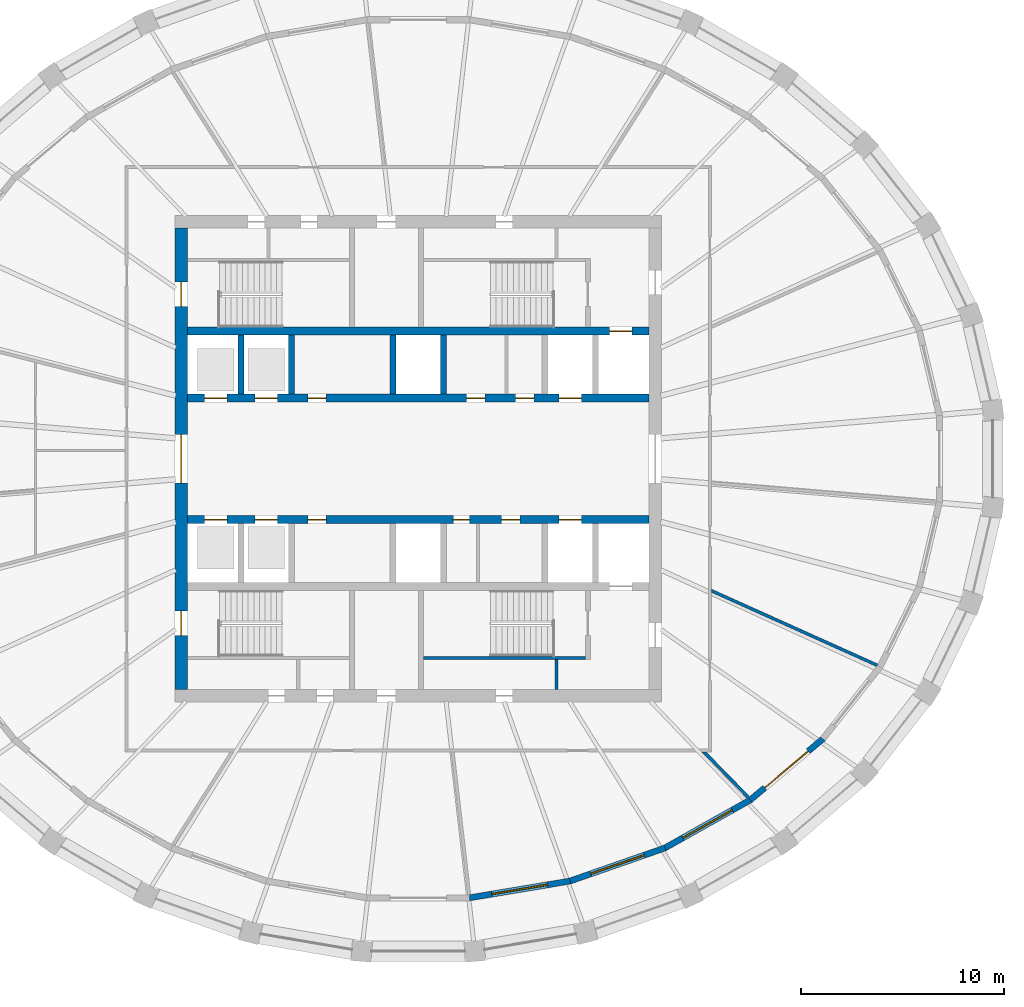
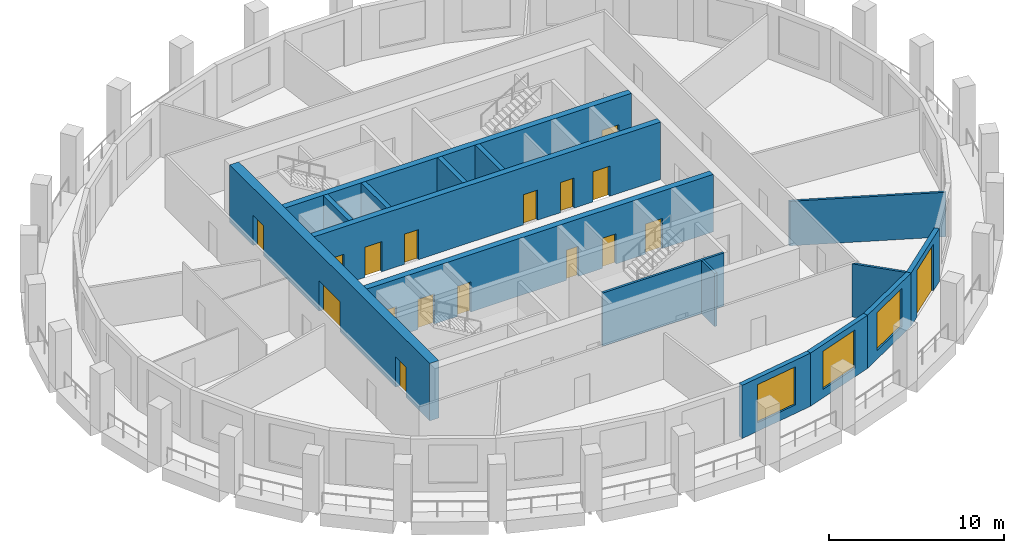
# One storey, part 4 of 10: 17 doors, 16 walls, 3 windows, 20 openings.
"""IFC4 building model written with IfcOpenShell, lengths in metres."""

from ifc_helpers import new_model, si_unit, direction, frame, frame_2d, origin, place, context, subcontext, project, spatial, polyline, rectangle, outline, extrude, material, layer, layer_set, type_object, element, fill, save


model = new_model("IFC4")

# Units and contexts
model_context = context("Model", 3, precision=1e-05, world=origin(), true_north=direction((0.0, 1.0)))
body_context = subcontext(model_context, "Body", "Model", "MODEL_VIEW")
ifc_project = project(units=[si_unit("LENGTHUNIT", "METRE"), si_unit("AREAUNIT", "SQUARE_METRE"), si_unit("VOLUMEUNIT", "CUBIC_METRE"), si_unit("PLANEANGLEUNIT", "RADIAN"), si_unit("MASSUNIT", "GRAM", prefix="KILO")], contexts=[model_context])

# Site, building, storey
site_placement = place(None, origin())
site = spatial("IfcSite", under=ifc_project, at=site_placement, CompositionType="ELEMENT")
building_placement = place(site_placement, origin())
building = spatial("IfcBuilding", under=site, at=building_placement, Name="Halqa Exchange Tower", CompositionType="ELEMENT")
storey_placement = place(building_placement, frame((0.0, 0.0, 316.300048828125)))
storey = spatial("IfcBuildingStorey", under=building, at=storey_placement, Name="L74", CompositionType="ELEMENT", Elevation=316.300048828125)

# Walls
ifc_material_1 = material(Name="Fire-rated gypsum board")
ifc_layer_1 = layer(ifc_material_1, 0.14990234375)
ifc_layer_set_1 = layer_set([ifc_layer_1], Name="Fire-rated gypsum board")
wall_type_1 = type_object("IfcWallType", Name="Fire partition EI 60 150", PredefinedType="PARTITIONING", material=ifc_layer_set_1)
wall_1_placement = place(storey_placement, frame((14.0625, -14.4228515625, 0.0), z_axis=(0.0, 0.0, 1.0), x_axis=(0.698596457998, -0.715515890021, 0.0)))
element("IfcWall", 1, at=wall_1_placement, inside=storey, type_object=wall_type_1, Name="L74-PWL-014", PredefinedType="PARTITIONING", context=body_context, shape_type="SweptSolid", body=[
    extrude(outline(polyline([(0.0, -0.074951171875), (1.594482421875, -0.074951171875), (3.18896484375, -0.074951171875), (3.18896484375, -0.07470703125), (3.18896484375, 0.074951171875), (1.66748046875, 0.074951171875), (0.14599609375, 0.074951171875), (0.0, -0.07470703125), (0.0, -0.074951171875)])), origin(), (0.0, 0.0, 1.0), 3.699951171875),
])
wall_2_placement = place(storey_placement, frame((14.444580078125, -6.5, 0.0), z_axis=(0.0, 0.0, 1.0), x_axis=(0.912043070278, -0.410094425662, 0.0)))
element("IfcWall", 2, at=wall_2_placement, inside=storey, type_object=wall_type_1, Name="L74-PWL-016", PredefinedType="PARTITIONING", context=body_context, shape_type="SweptSolid", body=[
    extrude(outline(polyline([(0.067138671875, -0.074951171875), (1.8525390625, -0.074951171875), (3.637939453125, -0.074951171875), (5.42333984375, -0.074951171875), (7.208740234375, -0.074951171875), (8.994140625, -0.074951171875), (9.013427734375, 0.000732421875), (9.015625, 0.066162109375), (9.015625, 0.074951171875), (7.21240234375, 0.074951171875), (5.409423828125, 0.074951171875), (3.606201171875, 0.074951171875), (1.80322265625, 0.074951171875), (0.0, 0.074951171875), (0.0, 0.07421875), (0.067138671875, -0.074951171875)])), origin(), (0.0, 0.0, 1.0), 3.099853515625),
])
ifc_material_2 = material(Name="Gypsum board")
ifc_layer_2 = layer(ifc_material_2, 0.14990234375)
ifc_layer_set_2 = layer_set([ifc_layer_2], Name="Gypsum board")
wall_type_2 = type_object("IfcWallType", Name="Penthouse riser wall 150 gypsum", PredefinedType="PARTITIONING", material=ifc_layer_set_2)
wall_3_placement = place(storey_placement, frame((6.824951171875, -11.39990234375, 0.0), z_axis=(0.0, 0.0, 1.0), x_axis=(0.0, 1.0, 0.0)))
element("IfcWall", 3, at=wall_3_placement, inside=storey, type_object=wall_type_2, Name="Firefighting lobby west wall S", PredefinedType="PARTITIONING", context=body_context, shape_type="SweptSolid", body=[
    extrude(rectangle(XDim=1.5, YDim=0.14990234375, at=frame_2d((0.75, 0.0))), origin(), (0.0, 0.0, 1.0), 3.699951171875),
])
ifc_material_3 = material(Name="Concrete C60/75", Category="concrete")
ifc_layer_3 = layer(ifc_material_3, 0.300048828125)
ifc_layer_set_3 = layer_set([ifc_layer_3], Name="Concrete C60/75")
wall_type_3 = type_object("IfcWallType", Name="RC core wall 300", PredefinedType="SHEAR", material=ifc_layer_set_3)
for number, where, z_axis, x_axis, name in (
    (4, (-8.75, 3.199951171875, 0.0), (0.0, 0.0, 1.0), (0.0, 1.0, 0.0), "Shaft divider N1"),
    (5, (-6.25, 3.199951171875, 0.0), (0.0, 0.0, 1.0), (0.0, 1.0, 0.0), "Shaft divider N2"),
    (6, (-1.25, 3.199951171875, 0.0), (0.0, 0.0, 1.0), (0.0, 1.0, 0.0), "Shaft divider N4"),
    (7, (1.25, 3.199951171875, 0.0), (0.0, 0.0, 1.0), (0.0, 1.0, 0.0), "Shaft divider N5"),
):
    element("IfcWall", number, at=place(storey_placement, frame(where, z_axis=z_axis, x_axis=x_axis)), inside=storey, type_object=wall_type_3, Name=name, PredefinedType="SHEAR", context=body_context, shape_type="SweptSolid", body=[
        extrude(rectangle(XDim=2.900146484375, YDim=0.300048828125, at=frame_2d((1.4501953125, 0.0))), origin(), (0.0, 0.0, 1.0), 4.0),
    ])

# Wall, openings, doors
ifc_layer_4 = layer(ifc_material_3, 0.39990234375)
ifc_layer_set_4 = layer_set([ifc_layer_4], Name="Concrete C60/75")
wall_type_4 = type_object("IfcWallType", Name="RC core wall 400 C60/75", PredefinedType="SHEAR", material=ifc_layer_set_4)
wall_4_placement = place(storey_placement, frame((-11.39990234375, 3.0, 0.0), z_axis=(0.0, 0.0, 1.0), x_axis=(1.0, 0.0, 0.0)))
wall_4 = element("IfcWall", 8, at=wall_4_placement, inside=storey, type_object=wall_type_4, Name="Lift row front wall N", PredefinedType="SHEAR", context=body_context, shape_type="SweptSolid", body=[
    extrude(rectangle(XDim=22.7998046875, YDim=0.39990234375, at=frame_2d((11.39990234375, 0.0))), origin(), (0.0, 0.0, 1.0), 4.0),
])
opening_1_placement = place(wall_4_placement, frame((0.85009765625, 0.0, 0.0)))
opening_1 = element("IfcOpeningElement", 9, at=opening_1_placement, cuts=wall_4, Name="Opening LD-HR1-T23", PredefinedType="OPENING", context=body_context, shape_type="SweptSolid", body=[
    extrude(rectangle(XDim=1.10009765625, YDim=2.10009765625, at=frame_2d((0.550048828125, 1.050048828125))), frame((0.0, 0.2119140625, 0.0), z_axis=(0.0, -1.0, 0.0), x_axis=(1.0, 0.0, 0.0)), (0.0, 0.0, 1.0), 0.423828125),
])
opening_2_placement = place(wall_4_placement, frame((3.35009765625, 0.0, 0.0)))
opening_2 = element("IfcOpeningElement", 10, at=opening_2_placement, cuts=wall_4, Name="Opening LD-HR2-T23", PredefinedType="OPENING", context=body_context, shape_type="SweptSolid", body=[
    extrude(rectangle(XDim=1.10009765625, YDim=2.10009765625, at=frame_2d((0.550048828125, 1.050048828125))), frame((0.0, 0.2119140625, 0.0), z_axis=(0.0, -1.0, 0.0), x_axis=(1.0, 0.0, 0.0)), (0.0, 0.0, 1.0), 0.423828125),
])
opening_3_placement = place(wall_4_placement, frame((18.35009765625, 0.0, 0.0)))
opening_3 = element("IfcOpeningElement", 11, at=opening_3_placement, cuts=wall_4, Name="Opening LD-SV1-T23", PredefinedType="OPENING", context=body_context, shape_type="SweptSolid", body=[
    extrude(rectangle(XDim=1.10009765625, YDim=2.10009765625, at=frame_2d((0.550048828125, 1.050048828125))), frame((0.0, 0.2119140625, 0.0), z_axis=(0.0, -1.0, 0.0), x_axis=(1.0, 0.0, 0.0)), (0.0, 0.0, 1.0), 0.423828125),
])
opening_4_placement = place(wall_4_placement, frame((13.78759765625, 0.0, 0.0)))
opening_4 = element("IfcOpeningElement", 12, at=opening_4_placement, cuts=wall_4, Name="Opening T23-C25", PredefinedType="OPENING", context=body_context, shape_type="SweptSolid", body=[
    extrude(rectangle(XDim=0.89990234375, YDim=2.10009765625, at=frame_2d((0.449951171875, 1.050048828125))), frame((0.0, 0.2119140625, 0.0), z_axis=(0.0, -1.0, 0.0), x_axis=(1.0, 0.0, 0.0)), (0.0, 0.0, 1.0), 0.423828125),
])
opening_5_placement = place(wall_4_placement, frame((16.21240234375, 0.0, 0.0)))
opening_5 = element("IfcOpeningElement", 13, at=opening_5_placement, cuts=wall_4, Name="Opening T23-C26", PredefinedType="OPENING", context=body_context, shape_type="SweptSolid", body=[
    extrude(rectangle(XDim=0.89990234375, YDim=2.10009765625, at=frame_2d((0.449951171875, 1.050048828125))), frame((0.0, 0.2119140625, 0.0), z_axis=(0.0, -1.0, 0.0), x_axis=(1.0, 0.0, 0.0)), (0.0, 0.0, 1.0), 0.423828125),
])
opening_6_placement = place(wall_4_placement, frame((5.949951171875, 0.0, 0.0)))
opening_6 = element("IfcOpeningElement", 14, at=opening_6_placement, cuts=wall_4, Name="Opening T23-C27", PredefinedType="OPENING", context=body_context, shape_type="SweptSolid", body=[
    extrude(rectangle(XDim=0.89990234375, YDim=2.10009765625, at=frame_2d((0.449951171875, 1.050048828125))), frame((0.0, 0.2119140625, 0.0), z_axis=(0.0, -1.0, 0.0), x_axis=(1.0, 0.0, 0.0)), (0.0, 0.0, 1.0), 0.423828125),
])
ifc_material_4 = material(Name="Timber fire door leaf", Category="wood")
door_type_1 = type_object("IfcDoorType", Name="Core room door FD30 900 x 2100", OperationType="SINGLE_SWING_LEFT", PredefinedType="DOOR", material=ifc_material_4)
door_1_placement = place(opening_4_placement, origin())
door_1 = element("IfcDoor", 15, at=door_1_placement, inside=storey, type_object=door_type_1, Name="Core room door", OperationType="SINGLE_SWING_RIGHT", OverallHeight=2.10009765625, OverallWidth=0.89990234375, PredefinedType="DOOR", context=body_context, shape_type="SweptSolid", body=[
    extrude(rectangle(XDim=0.89990234375, YDim=2.10009765625, at=frame_2d((0.449951171875, 1.050048828125))), frame((0.0, 0.02490234375, 0.0), z_axis=(0.0, -1.0, 0.0), x_axis=(1.0, 0.0, 0.0)), (0.0, 0.0, 1.0), 0.050048828125),
])
fill(opening_4, door_1)
door_2_placement = place(opening_5_placement, origin())
door_2 = element("IfcDoor", 16, at=door_2_placement, inside=storey, type_object=door_type_1, Name="Core room door", OperationType="SINGLE_SWING_RIGHT", OverallHeight=2.10009765625, OverallWidth=0.89990234375, PredefinedType="DOOR", context=body_context, shape_type="SweptSolid", body=[
    extrude(rectangle(XDim=0.89990234375, YDim=2.10009765625, at=frame_2d((0.449951171875, 1.050048828125))), frame((0.0, 0.02490234375, 0.0), z_axis=(0.0, -1.0, 0.0), x_axis=(1.0, 0.0, 0.0)), (0.0, 0.0, 1.0), 0.050048828125),
])
fill(opening_5, door_2)
door_3_placement = place(opening_6_placement, origin())
door_3 = element("IfcDoor", 17, at=door_3_placement, inside=storey, type_object=door_type_1, Name="Core room door", OperationType="SINGLE_SWING_RIGHT", OverallHeight=2.10009765625, OverallWidth=0.89990234375, PredefinedType="DOOR", context=body_context, shape_type="SweptSolid", body=[
    extrude(rectangle(XDim=0.89990234375, YDim=2.10009765625, at=frame_2d((0.449951171875, 1.050048828125))), frame((0.0, 0.02490234375, 0.0), z_axis=(0.0, -1.0, 0.0), x_axis=(1.0, 0.0, 0.0)), (0.0, 0.0, 1.0), 0.050048828125),
])
fill(opening_6, door_3)
ifc_material_5 = material(Name="Stainless steel", Category="steel")
door_type_2 = type_object("IfcDoorType", Name="Lift landing door 1100 x 2100", OperationType="SLIDING_TO_LEFT", PredefinedType="DOOR", material=ifc_material_5)
door_4_placement = place(opening_1_placement, origin())
door_4 = element("IfcDoor", 18, at=door_4_placement, inside=storey, type_object=door_type_2, Name="Lift landing door HR1", OperationType="SLIDING_TO_LEFT", OverallHeight=2.10009765625, OverallWidth=1.10009765625, PredefinedType="DOOR", context=body_context, shape_type="SweptSolid", body=[
    extrude(rectangle(XDim=1.10009765625, YDim=2.10009765625, at=frame_2d((0.550048828125, 1.050048828125))), frame((0.0, 0.02490234375, 0.0), z_axis=(0.0, -1.0, 0.0), x_axis=(1.0, 0.0, 0.0)), (0.0, 0.0, 1.0), 0.050048828125),
])
fill(opening_1, door_4)
door_5_placement = place(opening_2_placement, origin())
door_5 = element("IfcDoor", 19, at=door_5_placement, inside=storey, type_object=door_type_2, Name="Lift landing door HR2", OperationType="SLIDING_TO_LEFT", OverallHeight=2.10009765625, OverallWidth=1.10009765625, PredefinedType="DOOR", context=body_context, shape_type="SweptSolid", body=[
    extrude(rectangle(XDim=1.10009765625, YDim=2.10009765625, at=frame_2d((0.550048828125, 1.050048828125))), frame((0.0, 0.02490234375, 0.0), z_axis=(0.0, -1.0, 0.0), x_axis=(1.0, 0.0, 0.0)), (0.0, 0.0, 1.0), 0.050048828125),
])
fill(opening_2, door_5)
door_6_placement = place(opening_3_placement, origin())
door_6 = element("IfcDoor", 20, at=door_6_placement, inside=storey, type_object=door_type_2, Name="Lift landing door SV1", OperationType="SLIDING_TO_LEFT", OverallHeight=2.10009765625, OverallWidth=1.10009765625, PredefinedType="DOOR", context=body_context, shape_type="SweptSolid", body=[
    extrude(rectangle(XDim=1.10009765625, YDim=2.10009765625, at=frame_2d((0.550048828125, 1.050048828125))), frame((0.0, 0.02490234375, 0.0), z_axis=(0.0, -1.0, 0.0), x_axis=(1.0, 0.0, 0.0)), (0.0, 0.0, 1.0), 0.050048828125),
])
fill(opening_3, door_6)

# Wall, opening, door
wall_5_placement = place(storey_placement, frame((-11.39990234375, 6.300048828125, 0.0), z_axis=(0.0, 0.0, 1.0), x_axis=(1.0, 0.0, 0.0)))
wall_5 = element("IfcWall", 21, at=wall_5_placement, inside=storey, type_object=wall_type_4, Name="Lift row back wall N", PredefinedType="SHEAR", context=body_context, shape_type="SweptSolid", body=[
    extrude(rectangle(XDim=22.7998046875, YDim=0.39990234375, at=frame_2d((11.39990234375, 0.0))), origin(), (0.0, 0.0, 1.0), 4.0),
])
opening_7_placement = place(wall_5_placement, frame((20.85009765625, 0.0, 0.0)))
opening_7 = element("IfcOpeningElement", 22, at=opening_7_placement, cuts=wall_5, Name="Opening LD-FF1-T23", PredefinedType="OPENING", context=body_context, shape_type="SweptSolid", body=[
    extrude(rectangle(XDim=1.10009765625, YDim=2.10009765625, at=frame_2d((0.550048828125, 1.050048828125))), frame((0.0, 0.2119140625, 0.0), z_axis=(0.0, -1.0, 0.0), x_axis=(1.0, 0.0, 0.0)), (0.0, 0.0, 1.0), 0.423828125),
])
door_7_placement = place(opening_7_placement, origin())
door_7 = element("IfcDoor", 23, at=door_7_placement, inside=storey, type_object=door_type_2, Name="Lift landing door FF1", OperationType="SLIDING_TO_LEFT", OverallHeight=2.10009765625, OverallWidth=1.10009765625, PredefinedType="DOOR", context=body_context, shape_type="SweptSolid", body=[
    extrude(rectangle(XDim=1.10009765625, YDim=2.10009765625, at=frame_2d((0.550048828125, 1.050048828125))), frame((0.0, 0.02490234375, 0.0), z_axis=(0.0, -1.0, 0.0), x_axis=(1.0, 0.0, 0.0)), (0.0, 0.0, 1.0), 0.050048828125),
])
fill(opening_7, door_7)

# Wall, openings, doors
wall_6_placement = place(storey_placement, frame((-11.39990234375, -3.0, 0.0), z_axis=(0.0, 0.0, 1.0), x_axis=(1.0, 0.0, 0.0)))
wall_6 = element("IfcWall", 24, at=wall_6_placement, inside=storey, type_object=wall_type_4, Name="Lift row front wall S", PredefinedType="SHEAR", context=body_context, shape_type="SweptSolid", body=[
    extrude(rectangle(XDim=22.7998046875, YDim=0.39990234375, at=frame_2d((11.39990234375, 0.0))), origin(), (0.0, 0.0, 1.0), 4.0),
])
opening_8_placement = place(wall_6_placement, frame((0.85009765625, 0.0, 0.0)))
opening_8 = element("IfcOpeningElement", 25, at=opening_8_placement, cuts=wall_6, Name="Opening LD-HR3-T23", PredefinedType="OPENING", context=body_context, shape_type="SweptSolid", body=[
    extrude(rectangle(XDim=1.10009765625, YDim=2.10009765625, at=frame_2d((0.550048828125, 1.050048828125))), frame((0.0, 0.2119140625, 0.0), z_axis=(0.0, -1.0, 0.0), x_axis=(1.0, 0.0, 0.0)), (0.0, 0.0, 1.0), 0.423828125),
])
opening_9_placement = place(wall_6_placement, frame((3.35009765625, 0.0, 0.0)))
opening_9 = element("IfcOpeningElement", 26, at=opening_9_placement, cuts=wall_6, Name="Opening LD-HR4-T23", PredefinedType="OPENING", context=body_context, shape_type="SweptSolid", body=[
    extrude(rectangle(XDim=1.10009765625, YDim=2.10009765625, at=frame_2d((0.550048828125, 1.050048828125))), frame((0.0, 0.2119140625, 0.0), z_axis=(0.0, -1.0, 0.0), x_axis=(1.0, 0.0, 0.0)), (0.0, 0.0, 1.0), 0.423828125),
])
opening_10_placement = place(wall_6_placement, frame((18.35009765625, 0.0, 0.0)))
opening_10 = element("IfcOpeningElement", 27, at=opening_10_placement, cuts=wall_6, Name="Opening LD-SV2-T23", PredefinedType="OPENING", context=body_context, shape_type="SweptSolid", body=[
    extrude(rectangle(XDim=1.10009765625, YDim=2.10009765625, at=frame_2d((0.550048828125, 1.050048828125))), frame((0.0, 0.2119140625, 0.0), z_axis=(0.0, -1.0, 0.0), x_axis=(1.0, 0.0, 0.0)), (0.0, 0.0, 1.0), 0.423828125),
])
opening_11_placement = place(wall_6_placement, frame((13.137451171875, 0.0, 0.0)))
opening_11 = element("IfcOpeningElement", 28, at=opening_11_placement, cuts=wall_6, Name="Opening T23-C28", PredefinedType="OPENING", context=body_context, shape_type="SweptSolid", body=[
    extrude(rectangle(XDim=0.800048828125, YDim=2.10009765625, at=frame_2d((0.39990234375, 1.050048828125))), frame((0.0, 0.2119140625, 0.0), z_axis=(0.0, -1.0, 0.0), x_axis=(1.0, 0.0, 0.0)), (0.0, 0.0, 1.0), 0.423828125),
])
opening_12_placement = place(wall_6_placement, frame((15.512451171875, 0.0, 0.0)))
opening_12 = element("IfcOpeningElement", 29, at=opening_12_placement, cuts=wall_6, Name="Opening T23-C29", PredefinedType="OPENING", context=body_context, shape_type="SweptSolid", body=[
    extrude(rectangle(XDim=0.89990234375, YDim=2.10009765625, at=frame_2d((0.449951171875, 1.050048828125))), frame((0.0, 0.2119140625, 0.0), z_axis=(0.0, -1.0, 0.0), x_axis=(1.0, 0.0, 0.0)), (0.0, 0.0, 1.0), 0.423828125),
])
opening_13_placement = place(wall_6_placement, frame((5.949951171875, 0.0, 0.0)))
opening_13 = element("IfcOpeningElement", 30, at=opening_13_placement, cuts=wall_6, Name="Opening T23-C30", PredefinedType="OPENING", context=body_context, shape_type="SweptSolid", body=[
    extrude(rectangle(XDim=0.89990234375, YDim=2.10009765625, at=frame_2d((0.449951171875, 1.050048828125))), frame((0.0, 0.2119140625, 0.0), z_axis=(0.0, -1.0, 0.0), x_axis=(1.0, 0.0, 0.0)), (0.0, 0.0, 1.0), 0.423828125),
])
door_8_placement = place(opening_12_placement, frame((0.89990234375, 0.0, 0.0), z_axis=(0.0, 0.0, 1.0), x_axis=(-1.0, 0.0, 0.0)))
door_8 = element("IfcDoor", 31, at=door_8_placement, inside=storey, type_object=door_type_1, Name="Core room door", OperationType="SINGLE_SWING_RIGHT", OverallHeight=2.10009765625, OverallWidth=0.89990234375, PredefinedType="DOOR", context=body_context, shape_type="SweptSolid", body=[
    extrude(rectangle(XDim=0.89990234375, YDim=2.10009765625, at=frame_2d((0.449951171875, 1.050048828125))), frame((0.0, 0.02490234375, 0.0), z_axis=(0.0, -1.0, 0.0), x_axis=(1.0, 0.0, 0.0)), (0.0, 0.0, 1.0), 0.050048828125),
])
fill(opening_12, door_8)
door_9_placement = place(opening_13_placement, frame((0.89990234375, 0.0, 0.0), z_axis=(0.0, 0.0, 1.0), x_axis=(-1.0, 0.0, 0.0)))
door_9 = element("IfcDoor", 32, at=door_9_placement, inside=storey, type_object=door_type_1, Name="Core room door", OperationType="SINGLE_SWING_LEFT", OverallHeight=2.10009765625, OverallWidth=0.89990234375, PredefinedType="DOOR", context=body_context, shape_type="SweptSolid", body=[
    extrude(rectangle(XDim=0.89990234375, YDim=2.10009765625, at=frame_2d((0.449951171875, 1.050048828125))), frame((0.0, 0.02490234375, 0.0), z_axis=(0.0, -1.0, 0.0), x_axis=(1.0, 0.0, 0.0)), (0.0, 0.0, 1.0), 0.050048828125),
])
fill(opening_13, door_9)
door_10_placement = place(opening_8_placement, origin())
door_10 = element("IfcDoor", 33, at=door_10_placement, inside=storey, type_object=door_type_2, Name="Lift landing door HR3", OperationType="SLIDING_TO_LEFT", OverallHeight=2.10009765625, OverallWidth=1.10009765625, PredefinedType="DOOR", context=body_context, shape_type="SweptSolid", body=[
    extrude(rectangle(XDim=1.10009765625, YDim=2.10009765625, at=frame_2d((0.550048828125, 1.050048828125))), frame((0.0, 0.02490234375, 0.0), z_axis=(0.0, -1.0, 0.0), x_axis=(1.0, 0.0, 0.0)), (0.0, 0.0, 1.0), 0.050048828125),
])
fill(opening_8, door_10)
door_11_placement = place(opening_9_placement, origin())
door_11 = element("IfcDoor", 34, at=door_11_placement, inside=storey, type_object=door_type_2, Name="Lift landing door HR4", OperationType="SLIDING_TO_LEFT", OverallHeight=2.10009765625, OverallWidth=1.10009765625, PredefinedType="DOOR", context=body_context, shape_type="SweptSolid", body=[
    extrude(rectangle(XDim=1.10009765625, YDim=2.10009765625, at=frame_2d((0.550048828125, 1.050048828125))), frame((0.0, 0.02490234375, 0.0), z_axis=(0.0, -1.0, 0.0), x_axis=(1.0, 0.0, 0.0)), (0.0, 0.0, 1.0), 0.050048828125),
])
fill(opening_9, door_11)
door_12_placement = place(opening_10_placement, origin())
door_12 = element("IfcDoor", 35, at=door_12_placement, inside=storey, type_object=door_type_2, Name="Lift landing door SV2", OperationType="SLIDING_TO_LEFT", OverallHeight=2.10009765625, OverallWidth=1.10009765625, PredefinedType="DOOR", context=body_context, shape_type="SweptSolid", body=[
    extrude(rectangle(XDim=1.10009765625, YDim=2.10009765625, at=frame_2d((0.550048828125, 1.050048828125))), frame((0.0, 0.02490234375, 0.0), z_axis=(0.0, -1.0, 0.0), x_axis=(1.0, 0.0, 0.0)), (0.0, 0.0, 1.0), 0.050048828125),
])
fill(opening_10, door_12)
ifc_material_6 = material(Name="Steel fire door leaf", Category="steel")
door_type_3 = type_object("IfcDoorType", Name="Riser door FD60 800 x 2100", OperationType="SINGLE_SWING_LEFT", PredefinedType="DOOR", material=ifc_material_6)
door_13_placement = place(opening_11_placement, frame((0.800048828125, 0.0, 0.0), z_axis=(0.0, 0.0, 1.0), x_axis=(-1.0, 0.0, 0.0)))
door_13 = element("IfcDoor", 36, at=door_13_placement, inside=storey, type_object=door_type_3, Name="Core room door", OperationType="SINGLE_SWING_RIGHT", OverallHeight=2.10009765625, OverallWidth=0.800048828125, PredefinedType="DOOR", context=body_context, shape_type="SweptSolid", body=[
    extrude(rectangle(XDim=0.800048828125, YDim=2.10009765625, at=frame_2d((0.39990234375, 1.050048828125))), frame((0.0, 0.02490234375, 0.0), z_axis=(0.0, -1.0, 0.0), x_axis=(1.0, 0.0, 0.0)), (0.0, 0.0, 1.0), 0.050048828125),
])
fill(opening_11, door_13)

ifc_layer_5 = layer(ifc_material_3, 0.60009765625)
ifc_layer_set_5 = layer_set([ifc_layer_5], Name="Concrete C60/75")
wall_type_5 = type_object("IfcWallType", Name="RC core wall 600 C60/75", PredefinedType="SHEAR", material=ifc_layer_set_5)
wall_7_placement = place(storey_placement, frame((-11.699951171875, -11.39990234375, 0.0), z_axis=(0.0, 0.0, 1.0), x_axis=(0.0, 1.0, 0.0)))
wall_7 = element("IfcWall", 37, at=wall_7_placement, inside=storey, type_object=wall_type_5, Name="Core wall west", PredefinedType="SHEAR", context=body_context, shape_type="SweptSolid", body=[
    extrude(rectangle(XDim=22.7998046875, YDim=0.60009765625, at=frame_2d((11.39990234375, 0.0))), origin(), (0.0, 0.0, 1.0), 4.0),
])
opening_14_placement = place(wall_7_placement, frame((10.199951171875, 0.0, 0.0)))
opening_14 = element("IfcOpeningElement", 38, at=opening_14_placement, cuts=wall_7, Name="Opening T23-C09", PredefinedType="OPENING", context=body_context, shape_type="SweptSolid", body=[
    extrude(rectangle(XDim=2.39990234375, YDim=2.10009765625, at=frame_2d((1.199951171875, 1.050048828125))), frame((0.0, 0.31201171875, 0.0), z_axis=(0.0, -1.0, 0.0), x_axis=(1.0, 0.0, 0.0)), (0.0, 0.0, 1.0), 0.6240234375),
])
opening_15_placement = place(wall_7_placement, frame((18.925048828125, 0.0, 0.0)))
opening_15 = element("IfcOpeningElement", 39, at=opening_15_placement, cuts=wall_7, Name="Opening T23-C11", PredefinedType="OPENING", context=body_context, shape_type="SweptSolid", body=[
    extrude(rectangle(XDim=1.199951171875, YDim=2.10009765625, at=frame_2d((0.60009765625, 1.050048828125))), frame((0.0, 0.31201171875, 0.0), z_axis=(0.0, -1.0, 0.0), x_axis=(1.0, 0.0, 0.0)), (0.0, 0.0, 1.0), 0.6240234375),
])
opening_16_placement = place(wall_7_placement, frame((2.675048828125, 0.0, 0.0)))
opening_16 = element("IfcOpeningElement", 40, at=opening_16_placement, cuts=wall_7, Name="Opening T23-C13", PredefinedType="OPENING", context=body_context, shape_type="SweptSolid", body=[
    extrude(rectangle(XDim=1.199951171875, YDim=2.10009765625, at=frame_2d((0.60009765625, 1.050048828125))), frame((0.0, 0.31201171875, 0.0), z_axis=(0.0, -1.0, 0.0), x_axis=(1.0, 0.0, 0.0)), (0.0, 0.0, 1.0), 0.6240234375),
])
door_type_4 = type_object("IfcDoorType", Name="Lobby double door FD60 2400 x 2100", OperationType="DOUBLE_DOOR_SINGLE_SWING", PredefinedType="DOOR", material=ifc_material_6)
door_14_placement = place(opening_14_placement, frame((2.39990234375, 0.0, 0.0), z_axis=(0.0, 0.0, 1.0), x_axis=(-1.0, 0.0, 0.0)))
door_14 = element("IfcDoor", 41, at=door_14_placement, inside=storey, type_object=door_type_4, Name="Lift lobby double door", OperationType="DOUBLE_DOOR_SINGLE_SWING", OverallHeight=2.10009765625, OverallWidth=2.39990234375, PredefinedType="DOOR", context=body_context, shape_type="SweptSolid", body=[
    extrude(rectangle(XDim=2.39990234375, YDim=2.10009765625, at=frame_2d((1.199951171875, 1.050048828125))), frame((0.0, 0.02490234375, 0.0), z_axis=(0.0, -1.0, 0.0), x_axis=(1.0, 0.0, 0.0)), (0.0, 0.0, 1.0), 0.050048828125),
])
fill(opening_14, door_14)
door_type_5 = type_object("IfcDoorType", Name="Stair door FD90 1200 x 2100", OperationType="SINGLE_SWING_LEFT", PredefinedType="DOOR", material=ifc_material_6)
door_15_placement = place(opening_15_placement, frame((1.199951171875, 0.0, 0.0), z_axis=(0.0, 0.0, 1.0), x_axis=(-1.0, 0.0, 0.0)))
door_15 = element("IfcDoor", 42, at=door_15_placement, inside=storey, type_object=door_type_5, Name="Stair door ST1", OperationType="SINGLE_SWING_LEFT", OverallHeight=2.10009765625, OverallWidth=1.199951171875, PredefinedType="DOOR", context=body_context, shape_type="SweptSolid", body=[
    extrude(rectangle(XDim=1.199951171875, YDim=2.10009765625, at=frame_2d((0.60009765625, 1.050048828125))), frame((0.0, 0.02490234375, 0.0), z_axis=(0.0, -1.0, 0.0), x_axis=(1.0, 0.0, 0.0)), (0.0, 0.0, 1.0), 0.050048828125),
])
fill(opening_15, door_15)
door_16_placement = place(opening_16_placement, frame((1.199951171875, 0.0, 0.0), z_axis=(0.0, 0.0, 1.0), x_axis=(-1.0, 0.0, 0.0)))
door_16 = element("IfcDoor", 43, at=door_16_placement, inside=storey, type_object=door_type_5, Name="Stair door ST3", OperationType="SINGLE_SWING_LEFT", OverallHeight=2.10009765625, OverallWidth=1.199951171875, PredefinedType="DOOR", context=body_context, shape_type="SweptSolid", body=[
    extrude(rectangle(XDim=1.199951171875, YDim=2.10009765625, at=frame_2d((0.60009765625, 1.050048828125))), frame((0.0, 0.02490234375, 0.0), z_axis=(0.0, -1.0, 0.0), x_axis=(1.0, 0.0, 0.0)), (0.0, 0.0, 1.0), 0.050048828125),
])
fill(opening_16, door_16)

# Wall
ifc_material_7 = material(Name="Concrete C30/37", Category="concrete")
ifc_layer_6 = layer(ifc_material_7, 0.14990234375)
ifc_layer_set_6 = layer_set([ifc_layer_6], Name="Concrete C30/37")
wall_type_6 = type_object("IfcWallType", Name="RC stair wall 150 C30/37", PredefinedType="SHEAR", material=ifc_layer_set_6)
wall_8_placement = place(storey_placement, frame((0.25, -9.824951171875, 0.0), z_axis=(0.0, 0.0, 1.0), x_axis=(1.0, 0.0, 0.0)))
element("IfcWall", 44, at=wall_8_placement, inside=storey, type_object=wall_type_6, Name="Stair ST2 north wall S", PredefinedType="SHEAR", context=body_context, shape_type="SweptSolid", body=[
    extrude(rectangle(XDim=8.0, YDim=0.14990234375, at=frame_2d((4.0, 0.0))), origin(), (0.0, 0.0, 1.0), 3.699951171875),
])

# Wall, opening, window
ifc_material_8 = material(Name="Limestone cladding", Category="masonry")
ifc_layer_7 = layer(ifc_material_8, 0.0400390625)
ifc_material_9 = material(Name="Ventilated cavity")
ifc_layer_8 = layer(ifc_material_9, 0.030029296875, ventilated=True)
ifc_material_10 = material(Name="Mineral wool insulation")
ifc_layer_9 = layer(ifc_material_10, 0.10009765625)
ifc_layer_10 = layer(ifc_material_7, 0.10009765625)
ifc_material_11 = material(Name="Internal plaster")
ifc_layer_11 = layer(ifc_material_11, 0.030029296875)
ifc_layer_set_7 = layer_set([ifc_layer_7, ifc_layer_8, ifc_layer_9, ifc_layer_10, ifc_layer_11], Name="Stone-faced insulated wall 300")
wall_type_7 = type_object("IfcWallType", Name="Stone-faced insulated wall 300", PredefinedType="STANDARD", material=ifc_layer_set_7)
wall_9_placement = place(storey_placement, frame((2.531494140625, -21.674560546875, 0.0), z_axis=(0.0, 0.0, 1.0), x_axis=(0.986269147983, 0.165145898335, 0.0)))
wall_9 = element("IfcWall", 45, at=wall_9_placement, inside=storey, type_object=wall_type_7, Name="Glass-line wall 25", PredefinedType="STANDARD", context=body_context, shape_type="SweptSolid", body=[
    extrude(outline(polyline([(-0.012451171875, -0.14990234375), (5.0478515625, -0.14990234375), (5.0224609375, 0.14990234375), (0.012451171875, 0.14990234375), (-0.012451171875, -0.14990234375)])), origin(), (0.0, 0.0, 1.0), 3.699951171875),
])
opening_17_placement = place(wall_9_placement, frame((1.11767578125, 0.0, 0.60009765625)))
opening_17 = element("IfcOpeningElement", 46, at=opening_17_placement, cuts=wall_9, Name="Opening W-F4-25", PredefinedType="OPENING", context=body_context, shape_type="SweptSolid", body=[
    extrude(rectangle(XDim=2.800048828125, YDim=2.64990234375, at=frame_2d((1.39990234375, 1.324951171875))), frame((0.0, 0.162109375, 0.0), z_axis=(0.0, -1.0, 0.0), x_axis=(1.0, 0.0, 0.0)), (0.0, 0.0, 1.0), 0.323974609375),
])
ifc_material_12 = material(Name="Clear low-emissivity glass in aluminium frame", Category="aluminium")
window_type = type_object("IfcWindowType", Name="Fixed clear glazed window 2800 x 2650", PartitioningType="DOUBLE_PANEL_VERTICAL", PredefinedType="WINDOW", material=ifc_material_12)
window_1_placement = place(opening_17_placement, origin())
window_1 = element("IfcWindow", 47, at=window_1_placement, inside=storey, type_object=window_type, Name="Window 4", OverallHeight=2.64990234375, OverallWidth=2.800048828125, PartitioningType="DOUBLE_PANEL_VERTICAL", PredefinedType="WINDOW", context=body_context, shape_type="SweptSolid", body=[
    extrude(rectangle(XDim=2.800048828125, YDim=2.64990234375, at=frame_2d((1.39990234375, 1.324951171875))), frame((0.0, 0.030029296875, 0.0), z_axis=(0.0, -1.0, 0.0), x_axis=(1.0, 0.0, 0.0)), (0.0, 0.0, 1.0), 0.06005859375),
])
fill(opening_17, window_1)

wall_10_placement = place(storey_placement, frame((7.49755859375, -20.843017578125, 0.0), z_axis=(0.0, 0.0, 1.0), x_axis=(0.944273917508, 0.329160703479, 0.0)))
wall_10 = element("IfcWall", 48, at=wall_10_placement, inside=storey, type_object=wall_type_7, Name="Glass-line wall 26", PredefinedType="STANDARD", context=body_context, shape_type="SweptSolid", body=[
    extrude(outline(polyline([(-0.0126953125, -0.14990234375), (4.968505859375, -0.14990234375), (4.942138671875, 0.14990234375), (0.0126953125, 0.14990234375), (-0.0126953125, -0.14990234375)])), origin(), (0.0, 0.0, 1.0), 3.699951171875),
])
opening_18_placement = place(wall_10_placement, frame((1.07763671875, 0.0, 0.60009765625)))
opening_18 = element("IfcOpeningElement", 49, at=opening_18_placement, cuts=wall_10, Name="Opening W-F4-26", PredefinedType="OPENING", context=body_context, shape_type="SweptSolid", body=[
    extrude(rectangle(XDim=2.800048828125, YDim=2.64990234375, at=frame_2d((1.39990234375, 1.324951171875))), frame((0.0, 0.162109375, 0.0), z_axis=(0.0, -1.0, 0.0), x_axis=(1.0, 0.0, 0.0)), (0.0, 0.0, 1.0), 0.323974609375),
])
window_2_placement = place(opening_18_placement, origin())
window_2 = element("IfcWindow", 50, at=window_2_placement, inside=storey, type_object=window_type, Name="Window 4", OverallHeight=2.64990234375, OverallWidth=2.800048828125, PartitioningType="DOUBLE_PANEL_VERTICAL", PredefinedType="WINDOW", context=body_context, shape_type="SweptSolid", body=[
    extrude(rectangle(XDim=2.800048828125, YDim=2.64990234375, at=frame_2d((1.39990234375, 1.324951171875))), frame((0.0, 0.030029296875, 0.0), z_axis=(0.0, -1.0, 0.0), x_axis=(1.0, 0.0, 0.0)), (0.0, 0.0, 1.0), 0.06005859375),
])
fill(opening_18, window_2)

wall_11_placement = place(storey_placement, frame((12.1767578125, -19.2119140625, 0.0), z_axis=(0.0, 0.0, 1.0), x_axis=(0.871651071333, 0.49012693238, 0.0)))
wall_11 = element("IfcWall", 51, at=wall_11_placement, inside=storey, type_object=wall_type_7, Name="Glass-line wall 27", PredefinedType="STANDARD", context=body_context, shape_type="SweptSolid", body=[
    extrude(outline(polyline([(-0.01318359375, -0.14990234375), (4.847412109375, -0.14990234375), (4.819091796875, 0.14990234375), (0.01318359375, 0.14990234375), (-0.01318359375, -0.14990234375)])), origin(), (0.0, 0.0, 1.0), 3.699951171875),
])
opening_19_placement = place(wall_11_placement, frame((1.0166015625, 0.0, 0.60009765625)))
opening_19 = element("IfcOpeningElement", 52, at=opening_19_placement, cuts=wall_11, Name="Opening W-F4-27", PredefinedType="OPENING", context=body_context, shape_type="SweptSolid", body=[
    extrude(rectangle(XDim=2.800048828125, YDim=2.64990234375, at=frame_2d((1.39990234375, 1.324951171875))), frame((0.0, 0.162109375, 0.0), z_axis=(0.0, -1.0, 0.0), x_axis=(1.0, 0.0, 0.0)), (0.0, 0.0, 1.0), 0.323974609375),
])
window_3_placement = place(opening_19_placement, origin())
window_3 = element("IfcWindow", 53, at=window_3_placement, inside=storey, type_object=window_type, Name="Window 4", OverallHeight=2.64990234375, OverallWidth=2.800048828125, PartitioningType="DOUBLE_PANEL_VERTICAL", PredefinedType="WINDOW", context=body_context, shape_type="SweptSolid", body=[
    extrude(rectangle(XDim=2.800048828125, YDim=2.64990234375, at=frame_2d((1.39990234375, 1.324951171875))), frame((0.0, 0.030029296875, 0.0), z_axis=(0.0, -1.0, 0.0), x_axis=(1.0, 0.0, 0.0)), (0.0, 0.0, 1.0), 0.06005859375),
])
fill(opening_19, window_3)

# Wall, opening, door
wall_12_placement = place(storey_placement, frame((16.3896484375, -16.843017578125, 0.0), z_axis=(0.0, 0.0, 1.0), x_axis=(0.765128700347, 0.643877373344, 0.0)))
wall_12 = element("IfcWall", 54, at=wall_12_placement, inside=storey, type_object=wall_type_7, Name="Glass-line wall 28", PredefinedType="STANDARD", context=body_context, shape_type="SweptSolid", body=[
    extrude(outline(polyline([(-0.01416015625, -0.14990234375), (4.70068359375, -0.14990234375), (4.67041015625, 0.14990234375), (0.01416015625, 0.14990234375), (-0.01416015625, -0.14990234375)])), origin(), (0.0, 0.0, 1.0), 3.699951171875),
])
opening_20_placement = place(wall_12_placement, frame((0.942626953125, 0.0, 0.0)))
opening_20 = element("IfcOpeningElement", 55, at=opening_20_placement, cuts=wall_12, Name="Opening LG-F4-07", PredefinedType="OPENING", context=body_context, shape_type="SweptSolid", body=[
    extrude(rectangle(XDim=2.800048828125, YDim=3.25, at=frame_2d((1.39990234375, 1.625))), frame((0.0, 0.162109375, 0.0), z_axis=(0.0, -1.0, 0.0), x_axis=(1.0, 0.0, 0.0)), (0.0, 0.0, 1.0), 0.323974609375),
])
door_type_6 = type_object("IfcDoorType", Name="Glazed sliding loggia door 2800 x 3250", OperationType="DOUBLE_DOOR_SLIDING", PredefinedType="DOOR", material=ifc_material_12)
door_17_placement = place(opening_20_placement, origin())
door_17 = element("IfcDoor", 56, at=door_17_placement, inside=storey, type_object=door_type_6, Name="Loggia door 7", OperationType="DOUBLE_DOOR_SLIDING", OverallHeight=3.25, OverallWidth=2.800048828125, PredefinedType="DOOR", context=body_context, shape_type="SweptSolid", body=[
    extrude(rectangle(XDim=2.800048828125, YDim=3.25, at=frame_2d((1.39990234375, 1.625))), frame((0.0, 0.02490234375, 0.0), z_axis=(0.0, -1.0, 0.0), x_axis=(1.0, 0.0, 0.0)), (0.0, 0.0, 1.0), 0.050048828125),
])
fill(opening_20, door_17)

save(model, "model.ifc")
